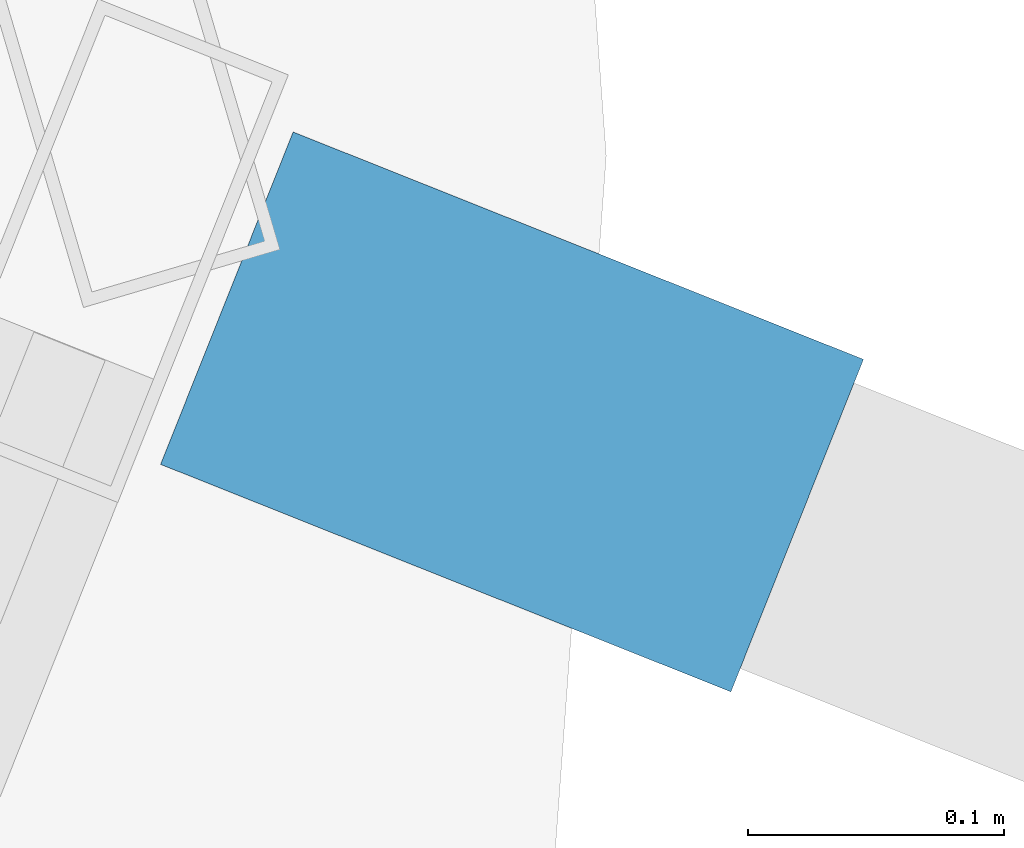
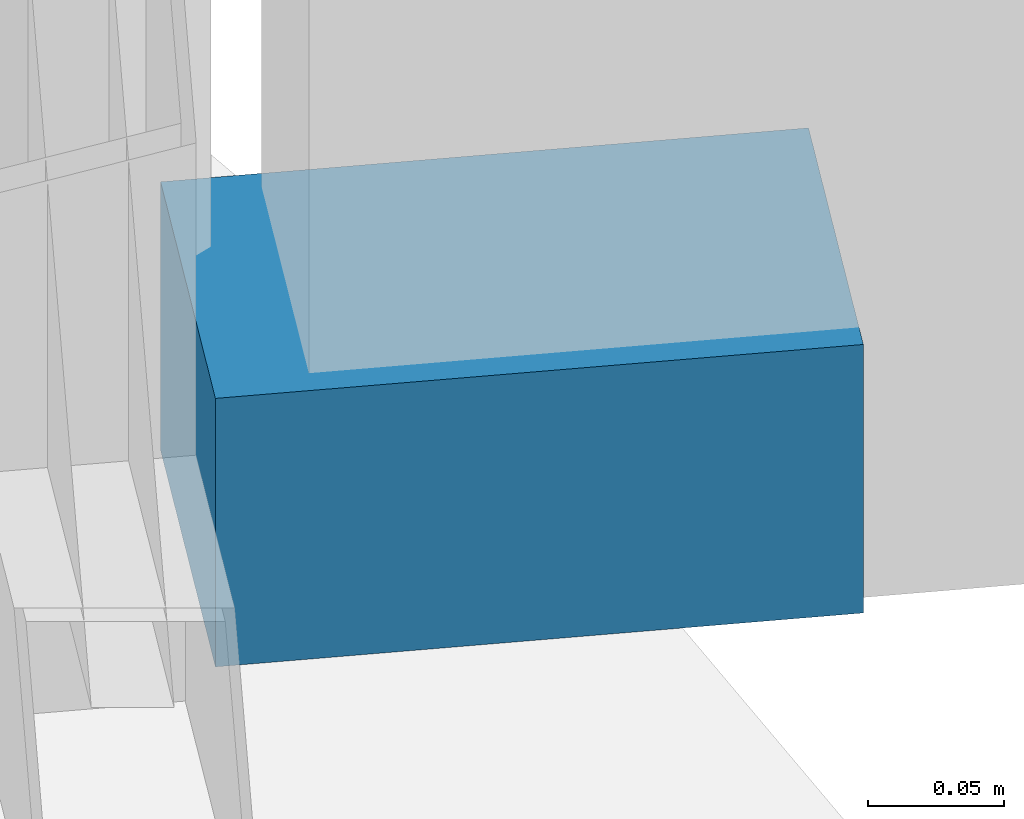
# One storey, part 29 of 33: 1 discrete accessory.
"""IFC4 building model written with IfcOpenShell, lengths in metres."""

from ifc_helpers import new_model, si_unit, direction, frame, origin, origin_2d, place, context, subcontext, project, spatial, rectangle, extrude, material, type_object, element, save


model = new_model("IFC4")

# Units and contexts
model_context = context("Model", 3, precision=1e-05, world=origin(), true_north=direction((0.0, 1.0)))
body_context = subcontext(model_context, "Body", "Model", "MODEL_VIEW")
ifc_project = project(units=[si_unit("LENGTHUNIT", "METRE"), si_unit("AREAUNIT", "SQUARE_METRE"), si_unit("VOLUMEUNIT", "CUBIC_METRE"), si_unit("PLANEANGLEUNIT", "RADIAN"), si_unit("MASSUNIT", "GRAM", prefix="KILO")], contexts=[model_context])

# Site, building, storey
site_placement = place(None, origin())
site = spatial("IfcSite", under=ifc_project, at=site_placement, CompositionType="ELEMENT")
building_placement = place(site_placement, origin())
building = spatial("IfcBuilding", under=site, at=building_placement, Name="Kazevale Care Tower and Concert Hall", CompositionType="ELEMENT")
storey_placement = place(building_placement, frame((0.0, 0.0, 52.800048828125)))
storey = spatial("IfcBuildingStorey", under=building, at=storey_placement, Name="L13", CompositionType="ELEMENT", Elevation=52.800048828125)

# Discrete accessory
ifc_material = material(Name="Stainless Steel 316", Category="steel")
discrete_accessory_type = type_object("IfcDiscreteAccessoryType", Name="Facade Fin Stainless Anchor Bracket BRK-1", PredefinedType="BRACKET", material=ifc_material)
discrete_accessory_placement = place(storey_placement, frame((80.76318359375, 37.89990234375, 0.0), z_axis=(0.0, 0.0, 1.0), x_axis=(0.928874213199, -0.370395324019, 0.0)))
element("IfcDiscreteAccessory", 1, at=discrete_accessory_placement, inside=storey, type_object=discrete_accessory_type, Name="cw:L13:f01:brk", PredefinedType="BRACKET", context=body_context, shape_type="SweptSolid", body=[
    extrude(rectangle(XDim=0.239990234375, YDim=0.139892578125, at=origin_2d()), origin(), (0.0, 0.0, 1.0), 0.1201171875),
])

save(model, "model.ifc")
